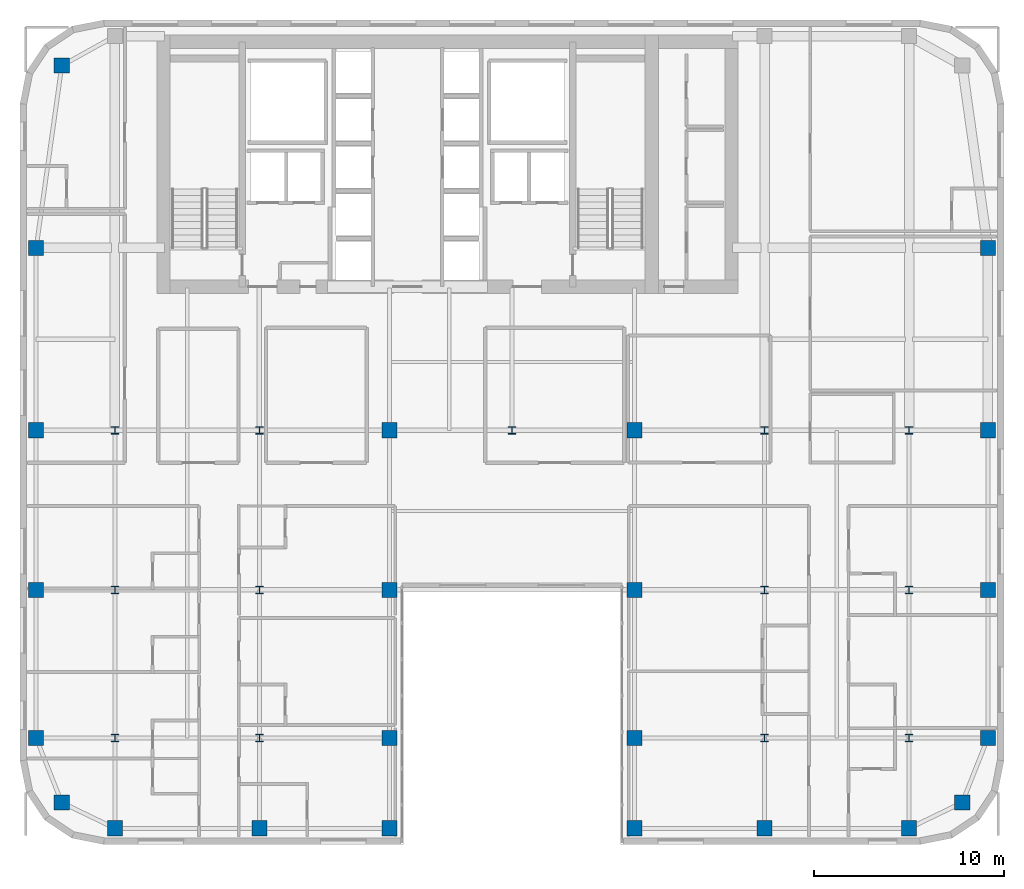
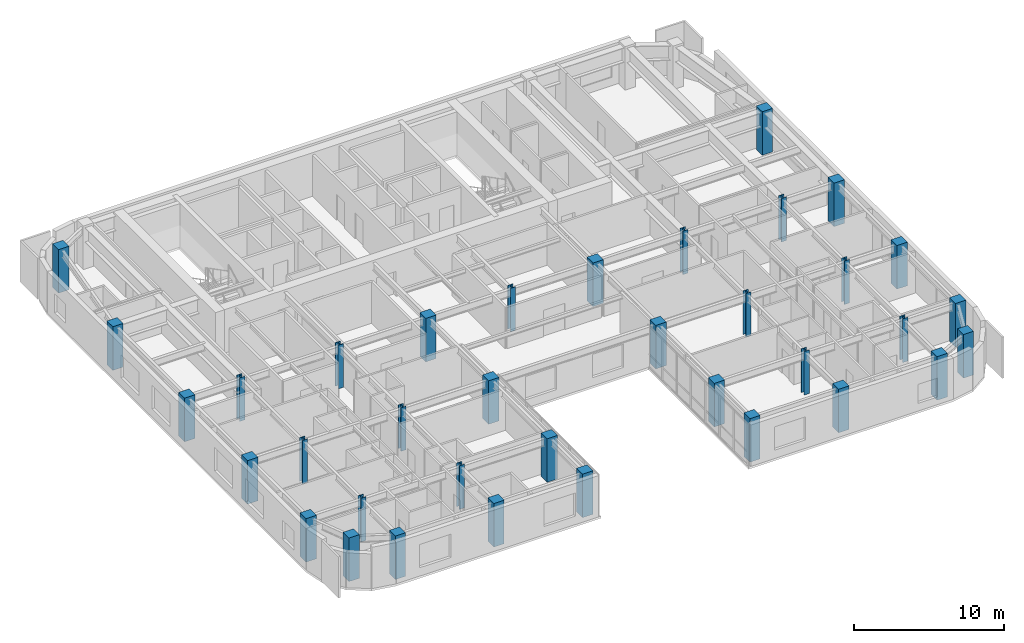
# One storey, part 1 of 14: 36 columns.
"""IFC4 building model written with IfcOpenShell, lengths in metres."""

from ifc_helpers import new_model, si_unit, direction, frame, origin, origin_2d, place, context, subcontext, project, spatial, rectangle, i_section, extrude, source, transform, mapped, material, material_profile, profile_set, type_object, type_shapes, element, save


model = new_model("IFC4")

# Units and contexts
model_context = context("Model", 3, precision=1e-05, world=origin(), true_north=direction((0.0, 1.0)))
body_context = subcontext(model_context, "Body", "Model", "MODEL_VIEW")
ifc_project = project(units=[si_unit("LENGTHUNIT", "METRE"), si_unit("AREAUNIT", "SQUARE_METRE"), si_unit("VOLUMEUNIT", "CUBIC_METRE"), si_unit("PLANEANGLEUNIT", "RADIAN"), si_unit("MASSUNIT", "GRAM", prefix="KILO")], contexts=[model_context])

# Site, building, storey
site_placement = place(None, origin())
site = spatial("IfcSite", under=ifc_project, at=site_placement, CompositionType="ELEMENT")
building_placement = place(site_placement, origin())
building = spatial("IfcBuilding", under=site, at=building_placement, Name="Tolvann Quenvar Hotel", CompositionType="ELEMENT")
storey_placement = place(building_placement, frame((0.0, 0.0, 187.550048828125)))
storey = spatial("IfcBuildingStorey", under=building, at=storey_placement, Name="L49", CompositionType="ELEMENT", Elevation=187.550048828125)

# Columns
ifc_material_1 = material(Name="Concrete N50 (50 MPa)", Category="concrete")
ifc_material_profile_1 = material_profile(ifc_material_1, rectangle(XDim=0.800048828125, YDim=0.800048828125, at=origin_2d()), Name="RC800x800")
ifc_profile_set_1 = profile_set([ifc_material_profile_1], Name="Concrete N50 (50 MPa)")
column_type_1 = type_object("IfcColumnType", Name="COL_RC800", PredefinedType="COLUMN", material=ifc_profile_set_1)
shared_shape_1 = source(origin(), body_context, "Body", "SweptSolid", [
    extrude(rectangle(XDim=0.800048828125, YDim=0.800048828125, at=origin_2d()), origin(), (0.0, 0.0, 1.0), 3.550048828125),
])
type_shapes(column_type_1, [shared_shape_1])
for number, where, z_axis, x_axis, name in (
    (1, (4.800048828125, 4.800048828125, 0.0), (0.0, 0.0, 1.0), (1.0, 0.0, 0.0), "Column B2 (L49)"),
    (2, (3.449951171875, 8.199951171875, 0.0), (0.0, 0.0, 1.0), (1.0, 0.0, 0.0), "Column B3 (L49)"),
    (3, (3.449951171875, 16.0, 0.0), (0.0, 0.0, 1.0), (1.0, 0.0, 0.0), "Column B4 (L49)"),
    (4, (3.449951171875, 24.39990234375, 0.0), (0.0, 0.0, 1.0), (1.0, 0.0, 0.0), "Column B5 (L49)"),
    (5, (7.60009765625, 3.449951171875, 0.0), (0.0, 0.0, 1.0), (1.0, 0.0, 0.0), "Column C2 (L49)"),
    (6, (15.199951171875, 3.449951171875, 0.0), (0.0, 0.0, 1.0), (1.0, 0.0, 0.0), "Column D2 (L49)"),
    (7, (22.050048828125, 3.449951171875, 0.0), (0.0, 0.0, 1.0), (1.0, 0.0, 0.0), "Column E2 (L49)"),
    (8, (22.050048828125, 8.199951171875, 0.0), (0.0, 0.0, 1.0), (1.0, 0.0, 0.0), "Column E3 (L49)"),
    (9, (22.050048828125, 16.0, 0.0), (0.0, 0.0, 1.0), (1.0, 0.0, 0.0), "Column E4 (L49)"),
    (10, (22.050048828125, 24.39990234375, 0.0), (0.0, 0.0, 1.0), (1.0, 0.0, 0.0), "Column E5 (L49)"),
    (11, (34.949951171875, 3.449951171875, 0.0), (0.0, 0.0, 1.0), (1.0, 0.0, 0.0), "Column F2 (L49)"),
    (12, (34.949951171875, 8.199951171875, 0.0), (0.0, 0.0, 1.0), (1.0, 0.0, 0.0), "Column F3 (L49)"),
    (13, (34.949951171875, 16.0, 0.0), (0.0, 0.0, 1.0), (1.0, 0.0, 0.0), "Column F4 (L49)"),
    (14, (34.949951171875, 24.39990234375, 0.0), (0.0, 0.0, 1.0), (1.0, 0.0, 0.0), "Column F5 (L49)"),
    (15, (41.800048828125, 3.449951171875, 0.0), (0.0, 0.0, 1.0), (1.0, 0.0, 0.0), "Column H2 (L49)"),
    (16, (49.39990234375, 3.449951171875, 0.0), (0.0, 0.0, 1.0), (1.0, 0.0, 0.0), "Column I2 (L49)"),
    (17, (52.199951171875, 4.800048828125, 0.0), (0.0, 0.0, 1.0), (1.0, 0.0, 0.0), "Column J2 (L49)"),
    (18, (53.550048828125, 8.199951171875, 0.0), (0.0, 0.0, 1.0), (1.0, 0.0, 0.0), "Column J3 (L49)"),
    (19, (53.550048828125, 16.0, 0.0), (0.0, 0.0, 1.0), (1.0, 0.0, 0.0), "Column J4 (L49)"),
    (20, (53.550048828125, 24.39990234375, 0.0), (0.0, 0.0, 1.0), (1.0, 0.0, 0.0), "Column J5 (L49)"),
    (21, (4.800048828125, 43.60009765625, 0.0), (0.0, 0.0, 1.0), (1.0, 0.0, 0.0), "Column BN (L49)"),
    (22, (3.449951171875, 34.0, 0.0), (0.0, 0.0, 1.0), (1.0, 0.0, 0.0), "Column BD6 (L49)"),
    (23, (53.550048828125, 34.0, 0.0), (0.0, 0.0, 1.0), (1.0, 0.0, 0.0), "Column JD6 (L49)"),
):
    element("IfcColumn", number, at=place(storey_placement, frame(where, z_axis=z_axis, x_axis=x_axis)), inside=storey, type_object=column_type_1, Name=name, PredefinedType="COLUMN", context=body_context, shape_type="MappedRepresentation", body=[
        mapped(shared_shape_1, transform((0.0, 0.0, 0.0), x_axis=(1.0, 0.0, 0.0), y_axis=(0.0, 1.0, 0.0), z_axis=(0.0, 0.0, 1.0), scale=1.0)),
    ])
ifc_material_2 = material(Name="Steel Grade 350", Category="steel")
ifc_material_profile_2 = material_profile(ifc_material_2, i_section(OverallWidth=0.39990234375, OverallDepth=0.39990234375, WebThickness=0.02001953125, FlangeThickness=0.034912109375, at=origin_2d()), Name="400WC270")
ifc_profile_set_2 = profile_set([ifc_material_profile_2], Name="Steel Grade 350")
column_type_2 = type_object("IfcColumnType", Name="COL_400WC270", PredefinedType="COLUMN", material=ifc_profile_set_2)
shared_shape_2 = source(origin(), body_context, "Body", "SweptSolid", [
    extrude(i_section(OverallWidth=0.39990234375, OverallDepth=0.39990234375, WebThickness=0.02001953125, FlangeThickness=0.034912109375, at=origin_2d()), origin(), (0.0, 0.0, 1.0), 3.550048828125),
])
type_shapes(column_type_2, [shared_shape_2])
for number, where, z_axis, x_axis, name in (
    (24, (7.60009765625, 8.199951171875, 0.0), (0.0, 0.0, 1.0), (1.0, 0.0, 0.0), "Column C3 (L49)"),
    (25, (7.60009765625, 16.0, 0.0), (0.0, 0.0, 1.0), (1.0, 0.0, 0.0), "Column C4 (L49)"),
    (26, (7.60009765625, 24.39990234375, 0.0), (0.0, 0.0, 1.0), (1.0, 0.0, 0.0), "Column C5 (L49)"),
    (27, (15.199951171875, 8.199951171875, 0.0), (0.0, 0.0, 1.0), (1.0, 0.0, 0.0), "Column D3 (L49)"),
    (28, (15.199951171875, 16.0, 0.0), (0.0, 0.0, 1.0), (1.0, 0.0, 0.0), "Column D4 (L49)"),
    (29, (15.199951171875, 24.39990234375, 0.0), (0.0, 0.0, 1.0), (1.0, 0.0, 0.0), "Column D5 (L49)"),
    (30, (41.800048828125, 8.199951171875, 0.0), (0.0, 0.0, 1.0), (1.0, 0.0, 0.0), "Column H3 (L49)"),
    (31, (41.800048828125, 16.0, 0.0), (0.0, 0.0, 1.0), (1.0, 0.0, 0.0), "Column H4 (L49)"),
    (32, (41.800048828125, 24.39990234375, 0.0), (0.0, 0.0, 1.0), (1.0, 0.0, 0.0), "Column H5 (L49)"),
    (33, (49.39990234375, 8.199951171875, 0.0), (0.0, 0.0, 1.0), (1.0, 0.0, 0.0), "Column I3 (L49)"),
    (34, (49.39990234375, 16.0, 0.0), (0.0, 0.0, 1.0), (1.0, 0.0, 0.0), "Column I4 (L49)"),
    (35, (49.39990234375, 24.39990234375, 0.0), (0.0, 0.0, 1.0), (1.0, 0.0, 0.0), "Column I5 (L49)"),
    (36, (28.5, 24.39990234375, 0.0), (0.0, 0.0, 1.0), (1.0, 0.0, 0.0), "Column M5 (L49)"),
):
    element("IfcColumn", number, at=place(storey_placement, frame(where, z_axis=z_axis, x_axis=x_axis)), inside=storey, type_object=column_type_2, Name=name, PredefinedType="COLUMN", context=body_context, shape_type="MappedRepresentation", body=[
        mapped(shared_shape_2, transform((0.0, 0.0, 0.0), x_axis=(1.0, 0.0, 0.0), y_axis=(0.0, 1.0, 0.0), z_axis=(0.0, 0.0, 1.0), scale=1.0)),
    ])

save(model, "model.ifc")
